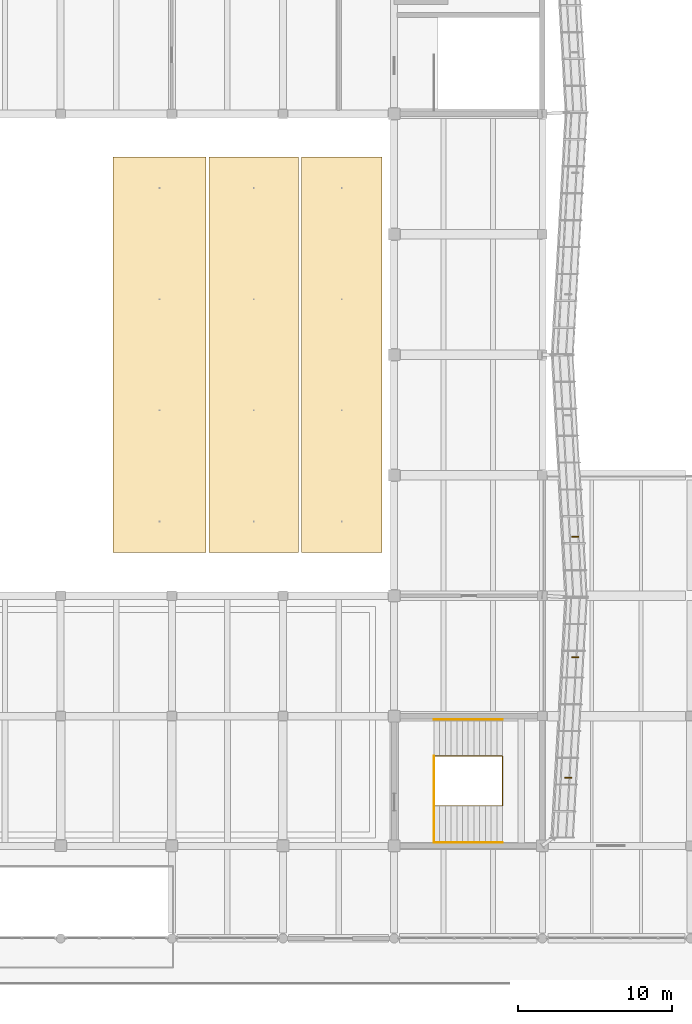
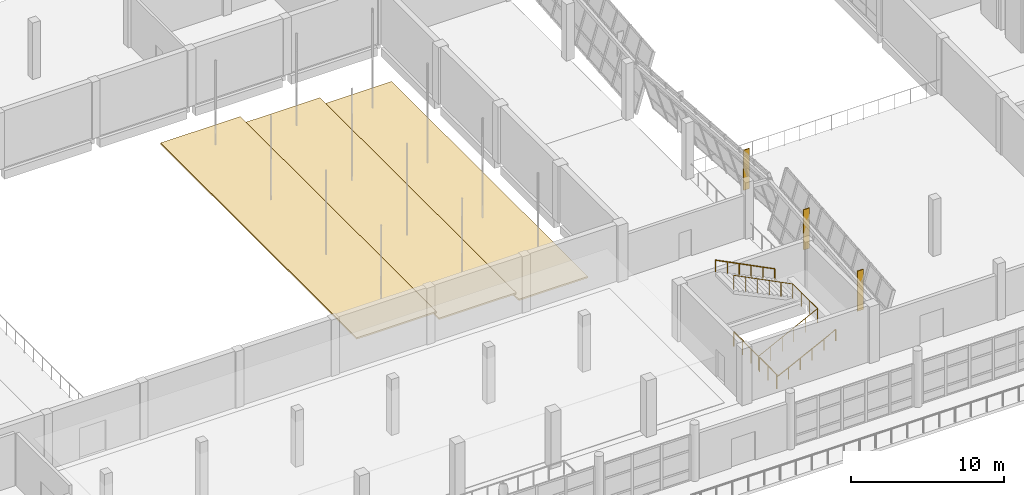
# One storey, part 66 of 71: 4 railings, 3 coverings, 3 shading devices.
"""IFC4 building model written with IfcOpenShell, lengths in metres."""

from ifc_helpers import new_model, si_unit, direction, frame, origin, origin_2d, place, context, subcontext, project, spatial, polyline, rectangle, circle, outline, extrude, material, layer, layer_set, type_object, element, save


model = new_model("IFC4")

# Units and contexts
model_context = context("Model", 3, precision=1e-05, world=origin(), true_north=direction((0.0, 1.0)))
body_context = subcontext(model_context, "Body", "Model", "MODEL_VIEW")
ifc_project = project(units=[si_unit("LENGTHUNIT", "METRE"), si_unit("AREAUNIT", "SQUARE_METRE"), si_unit("VOLUMEUNIT", "CUBIC_METRE"), si_unit("PLANEANGLEUNIT", "RADIAN"), si_unit("MASSUNIT", "GRAM", prefix="KILO")], contexts=[model_context])

# Site, building, storey
site_placement = place(None, origin())
site = spatial("IfcSite", under=ifc_project, at=site_placement, CompositionType="ELEMENT")
building_placement = place(site_placement, origin())
building = spatial("IfcBuilding", under=site, at=building_placement, Name="Pellamere Symphony Hall", CompositionType="ELEMENT")
storey_placement = place(building_placement, frame((0.0, 0.0, 15.0)))
storey = spatial("IfcBuildingStorey", under=building, at=storey_placement, Name="L03", CompositionType="ELEMENT", Elevation=15.0)

# Shading devices
ifc_material_1 = material(Name="Champagne-Anodised Extruded Aluminium 6063-T6", Category="aluminium")
shading_device_type = type_object("IfcShadingDeviceType", Name="Exterior Shading SD-01 65x450", PredefinedType="SHUTTER", material=ifc_material_1)
for number, where, z_axis, x_axis, name in (
    (1, (120.4814453125, 34.39990234375, 0.64990234375), (0.0, 0.0, 1.0), (0.0, 1.0, 0.0), "Crystal Acoustic Sunshade Fin CW-CR06 (L03)"),
    (2, (120.931396484375, 42.199951171875, 0.64990234375), (0.0, 0.0, 1.0), (0.0, 1.0, 0.0), "Crystal Acoustic Sunshade Fin CW-CR06 (L03)"),
    (3, (120.931396484375, 50.02490234375, 0.64990234375), (0.0, 0.0, 1.0), (0.0, 1.0, 0.0), "Crystal Acoustic Sunshade Fin CW-CR07 (L03)"),
):
    element("IfcShadingDevice", number, at=place(storey_placement, frame(where, z_axis=z_axis, x_axis=x_axis)), inside=storey, type_object=shading_device_type, Name=name, PredefinedType="SHUTTER", context=body_context, shape_type="SweptSolid", body=[
        extrude(rectangle(XDim=0.06494140625, YDim=0.449951171875, at=origin_2d()), origin(), (0.0, 0.0, 1.0), 3.199951171875),
    ])

# Railings
ifc_material_2 = material(Name="Painted Steel CSA G40.21 350W", Category="steel")
railing_type_1 = type_object("IfcRailingType", Name="Guardrail GR-02 H1150 Painted", PredefinedType="GUARDRAIL", material=ifc_material_2)
railing_1_placement = place(storey_placement, frame((111.77490234375, 32.590087890625, 0.0)))
element("IfcRailing", 4, at=railing_1_placement, inside=storey, type_object=railing_type_1, Name="Stair ST08-L03 Continuous Well Guardrail (L03)", PredefinedType="GUARDRAIL", context=body_context, shape_type="SweptSolid", body=[
    extrude(circle(Radius=0.02392578125, at=origin_2d()), frame((0.0, 0.0, 1.1259765625), z_axis=(0.892420750398, 0.0, 0.451204171367), x_axis=(0.0, 1.0, 0.0)), (0.0, 0.0, 1.0), 4.986572265625),
    extrude(circle(Radius=0.02392578125, at=origin_2d()), frame((4.4501953125, 0.0, 3.3759765625), z_axis=(0.0, 1.0, 0.0), x_axis=(-1.0, 0.0, 0.0)), (0.0, 0.0, 1.0), 3.219970703125),
    extrude(circle(Radius=0.02392578125, at=origin_2d()), frame((4.4501953125, 3.219970703125, 3.3759765625), z_axis=(-0.892420750398, 0.0, 0.451204171367), x_axis=(0.0, -1.0, 0.0)), (0.0, 0.0, 1.0), 4.986572265625),
    extrude(circle(Radius=0.02099609375, at=origin_2d()), origin(), (0.0, 0.0, 1.0), 1.101806640625),
    extrude(circle(Radius=0.02099609375, at=origin_2d()), frame((0.89013671875, 0.0, 0.449951171875)), (0.0, 0.0, 1.0), 1.101806640625),
    extrude(circle(Radius=0.02099609375, at=origin_2d()), frame((1.780029296875, 0.0, 0.89990234375)), (0.0, 0.0, 1.0), 1.101806640625),
    extrude(circle(Radius=0.02099609375, at=origin_2d()), frame((2.670166015625, 0.0, 1.35009765625)), (0.0, 0.0, 1.0), 1.101806640625),
    extrude(circle(Radius=0.02099609375, at=origin_2d()), frame((3.56005859375, 0.0, 1.800048828125)), (0.0, 0.0, 1.0), 1.101806640625),
    extrude(circle(Radius=0.02099609375, at=origin_2d()), frame((4.4501953125, 0.0, 2.25)), (0.0, 0.0, 1.0), 1.101806640625),
    extrude(circle(Radius=0.02099609375, at=origin_2d()), frame((4.4501953125, 1.0732421875, 2.25)), (0.0, 0.0, 1.0), 1.101806640625),
    extrude(circle(Radius=0.02099609375, at=origin_2d()), frame((4.4501953125, 2.146728515625, 2.25)), (0.0, 0.0, 1.0), 1.101806640625),
    extrude(circle(Radius=0.02099609375, at=origin_2d()), frame((4.4501953125, 3.219970703125, 2.25)), (0.0, 0.0, 1.0), 1.101806640625),
    extrude(circle(Radius=0.02099609375, at=origin_2d()), frame((3.56005859375, 3.219970703125, 2.699951171875)), (0.0, 0.0, 1.0), 1.101806640625),
    extrude(circle(Radius=0.02099609375, at=origin_2d()), frame((2.670166015625, 3.219970703125, 3.14990234375)), (0.0, 0.0, 1.0), 1.101806640625),
    extrude(circle(Radius=0.02099609375, at=origin_2d()), frame((1.780029296875, 3.219970703125, 3.60009765625)), (0.0, 0.0, 1.0), 1.101806640625),
    extrude(circle(Radius=0.02099609375, at=origin_2d()), frame((0.89013671875, 3.219970703125, 4.050048828125)), (0.0, 0.0, 1.0), 1.101806640625),
    extrude(circle(Radius=0.02099609375, at=origin_2d()), frame((0.0, 3.219970703125, 4.5)), (0.0, 0.0, 1.0), 1.101806640625),
])
railing_2_placement = place(storey_placement, frame((111.77490234375, 30.2099609375, 0.0)))
element("IfcRailing", 5, at=railing_2_placement, inside=storey, type_object=railing_type_1, Name="Stair ST08-L03 Landing Well Slot Guard (L03)", PredefinedType="GUARDRAIL", context=body_context, shape_type="SweptSolid", body=[
    extrude(circle(Radius=0.02392578125, at=origin_2d()), frame((0.0, 0.0, 1.1259765625), z_axis=(0.0, 1.0, 0.0), x_axis=(-1.0, 0.0, 0.0)), (0.0, 0.0, 1.0), 5.60009765625),
    extrude(circle(Radius=0.02099609375, at=origin_2d()), origin(), (0.0, 0.0, 1.0), 1.101806640625),
    extrude(circle(Radius=0.02099609375, at=origin_2d()), frame((0.0, 1.1201171875, 0.0)), (0.0, 0.0, 1.0), 1.101806640625),
    extrude(circle(Radius=0.02099609375, at=origin_2d()), frame((0.0, 2.239990234375, 0.0)), (0.0, 0.0, 1.0), 1.101806640625),
    extrude(circle(Radius=0.02099609375, at=origin_2d()), frame((0.0, 3.360107421875, 0.0)), (0.0, 0.0, 1.0), 1.101806640625),
    extrude(circle(Radius=0.02099609375, at=origin_2d()), frame((0.0, 4.47998046875, 0.0)), (0.0, 0.0, 1.0), 1.101806640625),
    extrude(circle(Radius=0.02099609375, at=origin_2d()), frame((0.0, 5.60009765625, 0.0)), (0.0, 0.0, 1.0), 1.101806640625),
])
ifc_material_3 = material(Name="Stainless Steel AISI 316", Category="steel")
railing_type_2 = type_object("IfcRailingType", Name="Handrail HR-01 H920 Stainless", PredefinedType="HANDRAIL", material=ifc_material_3)
railing_3_placement = place(storey_placement, frame((111.77490234375, 30.219970703125, 0.0)))
element("IfcRailing", 6, at=railing_3_placement, inside=storey, type_object=railing_type_2, Name="Stair ST08-L03 Lower Wall Handrail (L03)", PredefinedType="HANDRAIL", context=body_context, shape_type="SweptSolid", body=[
    extrude(circle(Radius=0.02392578125, at=origin_2d()), frame((0.0, 0.0, 0.89599609375), z_axis=(0.892420750398, 0.0, 0.451204171367), x_axis=(0.0, 1.0, 0.0)), (0.0, 0.0, 1.0), 4.986572265625),
    extrude(circle(Radius=0.02099609375, at=origin_2d()), origin(), (0.0, 0.0, 1.0), 0.871826171875),
    extrude(circle(Radius=0.02099609375, at=origin_2d()), frame((0.89013671875, 0.0, 0.449951171875)), (0.0, 0.0, 1.0), 0.871826171875),
    extrude(circle(Radius=0.02099609375, at=origin_2d()), frame((1.780029296875, 0.0, 0.89990234375)), (0.0, 0.0, 1.0), 0.871826171875),
    extrude(circle(Radius=0.02099609375, at=origin_2d()), frame((2.670166015625, 0.0, 1.35009765625)), (0.0, 0.0, 1.0), 0.871826171875),
    extrude(circle(Radius=0.02099609375, at=origin_2d()), frame((3.56005859375, 0.0, 1.800048828125)), (0.0, 0.0, 1.0), 0.871826171875),
    extrude(circle(Radius=0.02099609375, at=origin_2d()), frame((4.4501953125, 0.0, 2.25)), (0.0, 0.0, 1.0), 0.871826171875),
])
railing_4_placement = place(storey_placement, frame((116.22509765625, 38.179931640625, 2.25)))
element("IfcRailing", 7, at=railing_4_placement, inside=storey, type_object=railing_type_2, Name="Stair ST08-L03 Upper Wall Handrail (L03)", PredefinedType="HANDRAIL", context=body_context, shape_type="SweptSolid", body=[
    extrude(circle(Radius=0.02392578125, at=origin_2d()), frame((0.0, 0.0, 0.89599609375), z_axis=(-0.892420750398, 0.0, 0.451204171367), x_axis=(0.0, -1.0, 0.0)), (0.0, 0.0, 1.0), 4.986572265625),
    extrude(circle(Radius=0.02099609375, at=origin_2d()), origin(), (0.0, 0.0, 1.0), 0.871826171875),
    extrude(circle(Radius=0.02099609375, at=origin_2d()), frame((-0.89013671875, 0.0, 0.449951171875)), (0.0, 0.0, 1.0), 0.871826171875),
    extrude(circle(Radius=0.02099609375, at=origin_2d()), frame((-1.780029296875, 0.0, 0.89990234375)), (0.0, 0.0, 1.0), 0.871826171875),
    extrude(circle(Radius=0.02099609375, at=origin_2d()), frame((-2.670166015625, 0.0, 1.35009765625)), (0.0, 0.0, 1.0), 0.871826171875),
    extrude(circle(Radius=0.02099609375, at=origin_2d()), frame((-3.56005859375, 0.0, 1.800048828125)), (0.0, 0.0, 1.0), 0.871826171875),
    extrude(circle(Radius=0.02099609375, at=origin_2d()), frame((-4.4501953125, 0.0, 2.25)), (0.0, 0.0, 1.0), 0.871826171875),
])

# Coverings
ifc_material_4 = material(Name="Curved Laminated Birch Orchestra Acoustic Canopy Reflector", Category="wood")
ifc_layer = layer(ifc_material_4, 0.1201171875, Name="Curved Laminated Birch Orchestra Acoustic Canopy Reflector")
ifc_layer_set = layer_set([ifc_layer], Name="Curved Laminated Birch Orchestra Acoustic Canopy Reflector")
covering_type = type_object("IfcCoveringType", Name="Interior Covering AC-03 120mm", PredefinedType="CEILING", material=ifc_layer_set)
covering_1_placement = place(storey_placement, frame((0.0, 0.0, -0.199951171875)))
element("IfcCovering", 8, at=covering_1_placement, inside=storey, type_object=covering_type, Name="Suspended Birch Orchestra Acoustic Canopy 1", PredefinedType="CEILING", context=body_context, shape_type="SweptSolid", body=[
    extrude(outline(polyline([(91.0, 49.0), (97.0, 49.0), (97.0, 74.60009765625), (91.0, 74.60009765625), (91.0, 49.0)])), origin(), (0.0, 0.0, 1.0), 0.119873046875),
])
covering_2_placement = place(storey_placement, frame((0.0, 0.0, -0.800048828125)))
element("IfcCovering", 9, at=covering_2_placement, inside=storey, type_object=covering_type, Name="Suspended Birch Orchestra Acoustic Canopy 2", PredefinedType="CEILING", context=body_context, shape_type="SweptSolid", body=[
    extrude(outline(polyline([(97.199951171875, 49.0), (103.0, 49.0), (103.0, 74.60009765625), (97.199951171875, 74.60009765625), (97.199951171875, 49.0)])), origin(), (0.0, 0.0, 1.0), 0.1201171875),
])
covering_3_placement = place(storey_placement, frame((0.0, 0.0, -1.39990234375)))
element("IfcCovering", 10, at=covering_3_placement, inside=storey, type_object=covering_type, Name="Suspended Birch Orchestra Acoustic Canopy 3", PredefinedType="CEILING", context=body_context, shape_type="SweptSolid", body=[
    extrude(outline(polyline([(103.199951171875, 49.0), (108.39990234375, 49.0), (108.39990234375, 74.60009765625), (103.199951171875, 74.60009765625), (103.199951171875, 49.0)])), origin(), (0.0, 0.0, 1.0), 0.119873046875),
])

save(model, "model.ifc")
